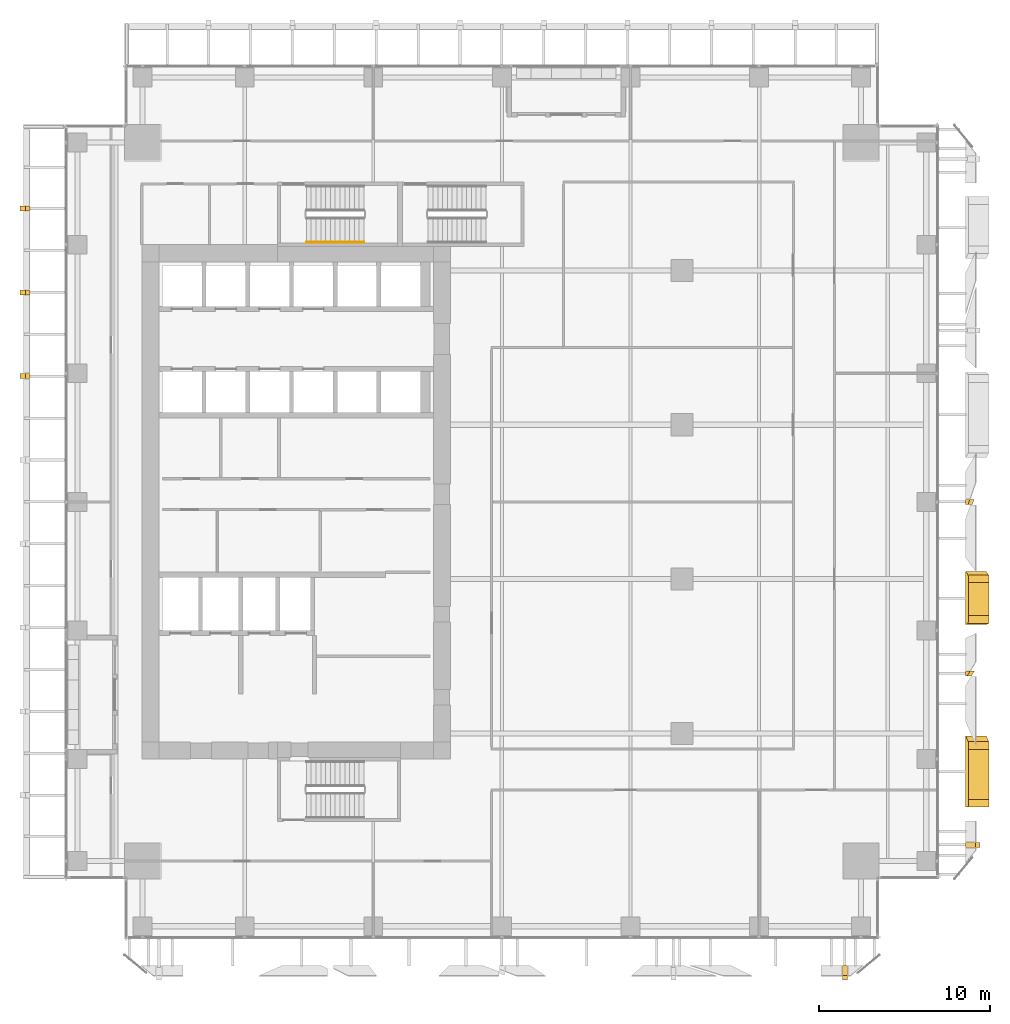
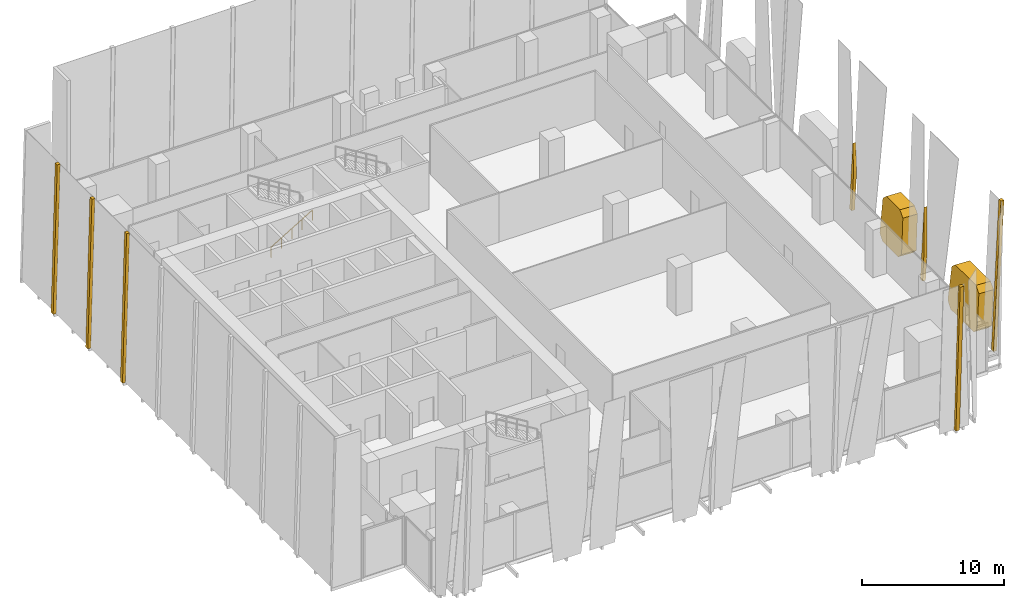
# One storey, part 31 of 34: 9 coverings, 1 railing.
"""IFC4 building model written with IfcOpenShell, lengths in metres."""

from ifc_helpers import new_model, si_unit, direction, frame, origin, origin_2d, place, context, subcontext, project, spatial, polyline, circle, outline, extrude, source, transform, mapped, material, layer, layer_set, type_object, element, save


model = new_model("IFC4")

# Units and contexts
model_context = context("Model", 3, precision=1e-05, world=origin(), true_north=direction((0.0, 1.0)))
body_context = subcontext(model_context, "Body", "Model", "MODEL_VIEW")
ifc_project = project(units=[si_unit("LENGTHUNIT", "METRE"), si_unit("AREAUNIT", "SQUARE_METRE"), si_unit("VOLUMEUNIT", "CUBIC_METRE"), si_unit("PLANEANGLEUNIT", "RADIAN"), si_unit("MASSUNIT", "GRAM", prefix="KILO")], contexts=[model_context])

# Site, building, storey
site_placement = place(None, origin())
site = spatial("IfcSite", under=ifc_project, at=site_placement, CompositionType="ELEMENT")
building_placement = place(site_placement, origin())
building = spatial("IfcBuilding", under=site, at=building_placement, Name="Khomas Fold Tower", CompositionType="ELEMENT")
storey_placement = place(building_placement, frame((0.0, 0.0, 114.699951171875)))
storey = spatial("IfcBuildingStorey", under=building, at=storey_placement, Name="L24", CompositionType="ELEMENT", Elevation=114.699951171875)

# Coverings
ifc_material_1 = material(Name="Natural stone cladding", Category="masonry")
ifc_layer_1 = layer(ifc_material_1, 0.25)
ifc_layer_set_1 = layer_set([ifc_layer_1], Name="Natural stone cladding")
covering_type_1 = type_object("IfcCoveringType", Name="SK-Karibib marble stone mullion", PredefinedType="CLADDING", material=ifc_layer_set_1)
for number, where, z_axis, x_axis, name in (
    (1, (46.85009765625, -0.026611328125, 0.0), (0.0, 0.998875266546, 0.047415207295), (0.0, -0.047415207295, 0.998875266546), "OUTER SKIN mullion L24 SM107-15"),
    (2, (54.026611328125, 6.85009765625, 0.0), (-0.998875266546, 0.0, 0.047415207295), (0.047415207295, 0.0, 0.998875266546), "OUTER SKIN mullion L24 EM099-2"),
):
    element("IfcCovering", number, at=place(storey_placement, frame(where, z_axis=z_axis, x_axis=x_axis)), inside=storey, type_object=covering_type_1, Name=name, PredefinedType="CLADDING", context=body_context, shape_type="SweptSolid", body=[
        extrude(outline(polyline([(0.0, 0.0), (12.764356498773964, 0.0), (12.764356498773964, 0.2998046875), (0.0, 0.2998046875), (0.0, 0.0)])), origin(), (0.0, 0.0, -1.0), 0.25),
    ])
covering_1_placement = place(storey_placement, frame((54.026611328125, 16.85009765625, 0.0), z_axis=(-0.998875516745, 5.9300981e-05, 0.047409899077), x_axis=(0.047409899161, -4.63e-10, 0.998875518501)))
element("IfcCovering", 3, at=covering_1_placement, inside=storey, type_object=covering_type_1, Name="OUTER SKIN mullion L24 EM101-5", PredefinedType="CLADDING", context=body_context, shape_type="SweptSolid", body=[
    extrude(outline(polyline([(0.0, 0.0), (2.276484803406172, 0.0), (6.0915674945679745, 0.29980469084829947), (-1.3884678930516362e-10, 0.29980468697285245), (0.0, 0.0)])), origin(), (0.0, 0.0, -1.0), 0.25),
])
covering_2_placement = place(storey_placement, frame((54.026611328125, 26.85009765625, 0.0), z_axis=(-0.998875699945, -0.000110936725, 0.047405946384), x_axis=(0.047405946676, -1.104e-09, 0.998875706091)))
element("IfcCovering", 4, at=covering_2_placement, inside=storey, type_object=covering_type_1, Name="OUTER SKIN mullion L24 EM103-8", PredefinedType="CLADDING", context=body_context, shape_type="SweptSolid", body=[
    extrude(outline(polyline([(0.0, 0.0), (3.3416491975281826, 3.3881317890172014e-21), (5.547250788248628, 0.299804695469841), (-3.310294710424912e-10, 0.29980468565515833), (0.0, 0.0)])), origin(), (0.0, 0.0, -1.0), 0.25),
])
for number, where, z_axis, x_axis, name in (
    (5, (-1.104248046875, 34.183349609375, 0.006591796875), (-0.999657592188, 0.0, 0.026166741891), (0.0, 1.0, 0.0), "OUTER SKIN mullion L24 W12"),
    (6, (-1.104248046875, 39.072265625, 0.006591796875), (-0.999657592188, 0.0, 0.026166741891), (0.0, 1.0, 0.0), "OUTER SKIN mullion L24 W14"),
    (7, (-1.104248046875, 43.961181640625, 0.006591796875), (-0.999657592188, 0.0, 0.026166741891), (0.0, 1.0, 0.0), "OUTER SKIN mullion L24 W16"),
):
    element("IfcCovering", number, at=place(storey_placement, frame(where, z_axis=z_axis, x_axis=x_axis)), inside=storey, type_object=covering_type_1, Name=name, PredefinedType="CLADDING", context=body_context, shape_type="SweptSolid", body=[
        extrude(outline(polyline([(0.0, 0.0), (0.300048828125, 0.0), (0.300048828125, -12.754367194966619), (0.0, -12.754367194966619), (0.0, 0.0)])), origin(), (0.0, 0.0, -1.0), 0.25),
    ])
ifc_material_2 = material(Name="Natural stone cladding", Category="masonry")
ifc_layer_2 = layer(ifc_material_2, 1.199951171875)
ifc_layer_set_2 = layer_set([ifc_layer_2], Name="Natural stone cladding")
covering_type_2 = type_object("IfcCoveringType", Name="SK-Karibib marble stone panel", PredefinedType="CLADDING", material=ifc_layer_set_2)
covering_3_placement = place(storey_placement, frame((54.195068359375, 13.017333984375, 3.54833984375), z_axis=(-0.998875234552, 3.3456254e-05, 0.047415869485), x_axis=(-0.047138456604, 0.107315637428, -0.99310690254)))
element("IfcCovering", 8, at=covering_3_placement, inside=storey, type_object=covering_type_2, Name="OUTER SKIN leaf L24 ES03-1", PredefinedType="CLADDING", context=body_context, shape_type="SweptSolid", body=[
    extrude(outline(polyline([(0.0, 0.0), (3.071219176934832, 1.1102230246251565e-16), (3.5191931443679834, 0.49821744248019045), (3.1704435228333634, 3.729205965393968), (2.6743058795507424, 4.128218107966393), (-0.3615431532122214, 3.8005316451962328), (-0.7611187112645024, 3.304837128636967), (-0.44773923390175074, 0.40153506849334913), (0.0, 0.0)])), origin(), (0.0, 0.0, -1.0), 1.199951171875),
])
covering_4_placement = place(storey_placement, frame((54.194091796875, 22.739013671875, 3.5283203125), z_axis=(-0.998875297652, 3.8757966e-05, 0.047414536144), x_axis=(-0.047318258696, 0.062884708959, -0.996898438043)))
element("IfcCovering", 9, at=covering_4_placement, inside=storey, type_object=covering_type_2, Name="OUTER SKIN leaf L24 ES06-2", PredefinedType="CLADDING", context=body_context, shape_type="SweptSolid", body=[
    extrude(outline(polyline([(0.0, 0.0), (3.0592939858649912, -2.7755575615628914e-17), (3.5091661921267447, 0.47821116793577256), (3.3719282982342627, 2.6562648562207785), (2.883599339963788, 3.076094395085457), (-0.15937245290105462, 2.8131727025919737), (-0.5701610369133859, 2.33644566614236), (-0.4495194248530746, 0.42178565019610487), (0.0, 0.0)])), origin(), (0.0, 0.0, -1.0), 1.199951171875),
])

# Railing
ifc_material_3 = material(Name="Steel handrail", Category="steel")
railing_type = type_object("IfcRailingType", Name="Stair handrail", PredefinedType="HANDRAIL", material=ifc_material_3)
shared_shape = source(origin(), body_context, "Body", "SweptSolid", [
    extrude(circle(Radius=0.02392578125, at=origin_2d()), frame((0.0, 0.0, 0.8759765625), z_axis=(0.855820338506, 0.0, 0.51727318527), x_axis=(0.0, 1.0, 0.0)), (0.0, 0.0, 1.0), 3.92578125),
    extrude(circle(Radius=0.02099609375, at=origin_2d()), origin(), (0.0, 0.0, 1.0), 0.851806640625),
    extrude(circle(Radius=0.02099609375, at=origin_2d()), frame((0.83984375, 0.0, 0.5078125)), (0.0, 0.0, 1.0), 0.851806640625),
    extrude(circle(Radius=0.02099609375, at=origin_2d()), frame((1.679931640625, 0.0, 1.015380859375)), (0.0, 0.0, 1.0), 0.851806640625),
    extrude(circle(Radius=0.02099609375, at=origin_2d()), frame((2.52001953125, 0.0, 1.52294921875)), (0.0, 0.0, 1.0), 0.851806640625),
    extrude(circle(Radius=0.02099609375, at=origin_2d()), frame((3.35986328125, 0.0, 2.03076171875)), (0.0, 0.0, 1.0), 0.851806640625),
])
railing_placement = place(storey_placement, frame((15.60009765625, 42.14990234375, 0.169189453125)))
element("IfcRailing", 10, at=railing_placement, inside=storey, type_object=railing_type, Name="L24 ST1 stair handrail 1", PredefinedType="HANDRAIL", context=body_context, shape_type="MappedRepresentation", body=[
    mapped(shared_shape, transform((0.0, 0.0, 0.0))),
])

save(model, "model.ifc")
